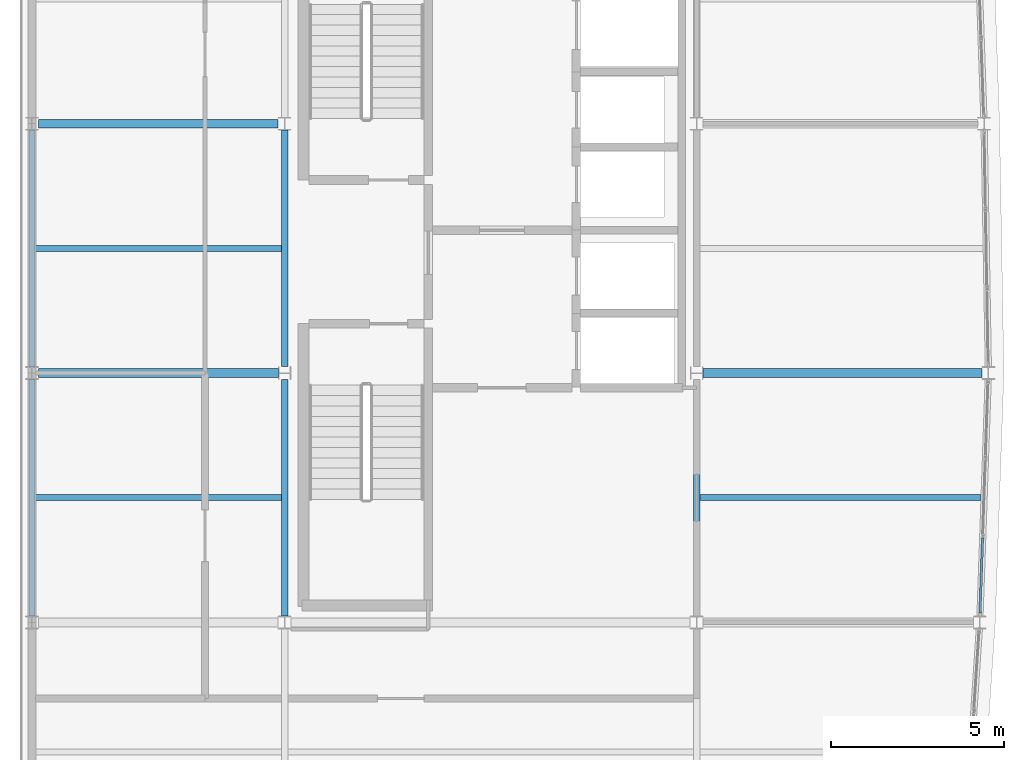
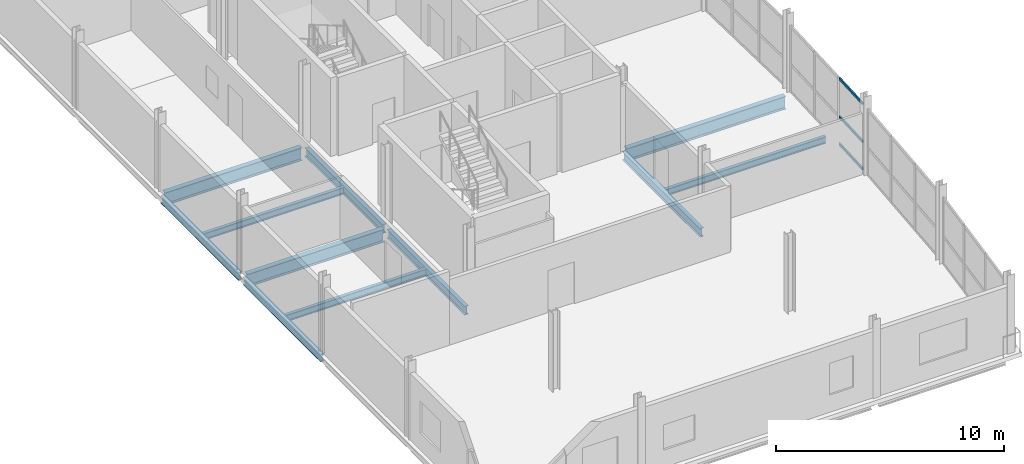
# One storey, part 4 of 20: 11 beams, 3 members, 1 element without a shape of its own.
"""IFC4 building model written with IfcOpenShell, lengths in metres."""

from ifc_helpers import new_model, si_unit, direction, frame, origin, origin_2d, place, context, subcontext, project, spatial, hollow_rectangle, i_section, extrude, material, layer, layer_set, material_profile, profile_set, type_object, element, aggregate, save


model = new_model("IFC4")

# Units and contexts
model_context = context("Model", 3, precision=1e-05, world=origin(), true_north=direction((0.0, 1.0)))
body_context = subcontext(model_context, "Body", "Model", "MODEL_VIEW")
ifc_project = project(units=[si_unit("LENGTHUNIT", "METRE"), si_unit("AREAUNIT", "SQUARE_METRE"), si_unit("VOLUMEUNIT", "CUBIC_METRE"), si_unit("PLANEANGLEUNIT", "RADIAN"), si_unit("MASSUNIT", "GRAM", prefix="KILO")], contexts=[model_context])

# Site, building, storey
site_placement = place(None, origin())
site = spatial("IfcSite", under=ifc_project, at=site_placement, CompositionType="ELEMENT")
building_placement = place(site_placement, origin())
building = spatial("IfcBuilding", under=site, at=building_placement, Name="Quillay Park Conservatory", CompositionType="ELEMENT")
storey_placement = place(building_placement, frame((0.0, 0.0, 26.699951171875)))
storey = spatial("IfcBuildingStorey", under=building, at=storey_placement, Name="L06", CompositionType="ELEMENT", Elevation=26.699951171875)

# Beams
ifc_material_1 = material(Name="Steel ASTM A992 Grade 50", Category="steel")
ifc_material_profile_1 = material_profile(ifc_material_1, i_section(OverallWidth=0.172119140625, OverallDepth=0.35791015625, WebThickness=0.0078125, FlangeThickness=0.01318359375, FilletRadius=0.010986328125, at=origin_2d()), Name="W360x57")
ifc_profile_set_1 = profile_set([ifc_material_profile_1], Name="Steel ASTM A992 Grade 50")
beam_type_1 = type_object("IfcBeamType", Name="COMPOSITE FLOOR JOIST W360 X57", PredefinedType="JOIST", material=ifc_profile_set_1)
beam_1_placement = place(storey_placement, frame((0.639892578125, 81.60009765625, -0.39892578125), z_axis=(1.0, 0.0, 0.0), x_axis=(0.0, 1.0, 0.0)))
element("IfcBeam", 1, at=beam_1_placement, inside=storey, type_object=beam_type_1, Name="L06 beam BM-J-0488", PredefinedType="JOIST", context=body_context, shape_type="SweptSolid", body=[
    extrude(i_section(OverallWidth=0.172119140625, OverallDepth=0.35791015625, WebThickness=0.0078125, FlangeThickness=0.01318359375, FilletRadius=0.010986328125, at=origin_2d()), origin(), (0.0, 0.0, 1.0), 7.114013671875),
])
beam_2_placement = place(storey_placement, frame((19.845947265625, 81.60009765625, -0.39892578125), z_axis=(1.0, 0.0, 0.0), x_axis=(0.0, 1.0, 0.0)))
element("IfcBeam", 2, at=beam_2_placement, inside=storey, type_object=beam_type_1, Name="L06 beam BM-J-0489", PredefinedType="JOIST", context=body_context, shape_type="SweptSolid", body=[
    extrude(i_section(OverallWidth=0.172119140625, OverallDepth=0.35791015625, WebThickness=0.0078125, FlangeThickness=0.01318359375, FilletRadius=0.010986328125, at=origin_2d()), origin(), (0.0, 0.0, 1.0), 8.114013671875),
])
beam_3_placement = place(storey_placement, frame((0.639892578125, 88.800048828125, -0.39892578125), z_axis=(1.0, 0.0, 0.0), x_axis=(0.0, 1.0, 0.0)))
element("IfcBeam", 3, at=beam_3_placement, inside=storey, type_object=beam_type_1, Name="L06 beam BM-J-0494", PredefinedType="JOIST", context=body_context, shape_type="SweptSolid", body=[
    extrude(i_section(OverallWidth=0.172119140625, OverallDepth=0.35791015625, WebThickness=0.0078125, FlangeThickness=0.01318359375, FilletRadius=0.010986328125, at=origin_2d()), origin(), (0.0, 0.0, 1.0), 7.114013671875),
])

# Curtain wall, members
ifc_material_2 = material(Name="Thermally Broken Anodised Aluminium 6063-T6", Category="aluminium")
ifc_layer = layer(ifc_material_2, 0.199951171875)
ifc_layer_set = layer_set([ifc_layer], Name="UNITISED CURTAIN WALL HERBARIUM (Thermally Broken Anodised Aluminium 6063-T6)")
curtain_wall_type = type_object("IfcCurtainWallType", Name="UNITISED CURTAIN WALL HERBARIUM", PredefinedType="USERDEFINED", material=ifc_layer_set)
curtain_wall_placement = place(storey_placement, origin())
curtain_wall = element("IfcCurtainWall", 4, at=curtain_wall_placement, inside=storey, type_object=curtain_wall_type, Name="L06 Unitised Curtain Wall 060", ObjectType="UNITISED CURTAIN WALL", PredefinedType="USERDEFINED")
ifc_material_3 = material(Name="Thermally Broken Anodised Aluminium 6063-T6", Category="aluminium")
ifc_material_profile_2 = material_profile(ifc_material_3, hollow_rectangle(XDim=0.070068359375, YDim=0.1298828125, WallThickness=0.003173828125, at=origin_2d()), Name="AL70x130x3.2")
ifc_profile_set_2 = profile_set([ifc_material_profile_2], Name="Thermally Broken Anodised Aluminium 6063-T6")
member_type = type_object("IfcMemberType", Name="CURTAIN WALL TRANSOM 70 X130", PredefinedType="USERDEFINED", material=ifc_profile_set_2)
member_1_placement = place(storey_placement, frame((28.009521484375, 80.431640625, 0.03515625), z_axis=(-0.034761587249, -0.999395633396, 0.0), x_axis=(0.999395633396, -0.034761587249, 0.0)))
member_1 = element("IfcMember", 5, at=member_1_placement, type_object=member_type, Name="CW-T2 transom 3.1", ObjectType="TRANSOM", PredefinedType="USERDEFINED", context=body_context, shape_type="SweptSolid", body=[
    extrude(hollow_rectangle(XDim=0.070068359375, YDim=0.1298828125, WallThickness=0.003173828125, at=origin_2d()), origin(), (0.0, 0.0, 1.0), 2.1630859375),
])
member_2_placement = place(storey_placement, frame((28.009521484375, 80.431640625, 1.4990234375), z_axis=(-0.034761587249, -0.999395633396, 0.0), x_axis=(0.999395633396, -0.034761587249, 0.0)))
member_2 = element("IfcMember", 6, at=member_2_placement, type_object=member_type, Name="CW-T2 transom 3.2", ObjectType="TRANSOM", PredefinedType="USERDEFINED", context=body_context, shape_type="SweptSolid", body=[
    extrude(hollow_rectangle(XDim=0.070068359375, YDim=0.1298828125, WallThickness=0.003173828125, at=origin_2d()), origin(), (0.0, 0.0, 1.0), 2.1630859375),
])
member_3_placement = place(storey_placement, frame((28.009521484375, 80.431640625, 3.533935546875), z_axis=(-0.034761587249, -0.999395633396, 0.0), x_axis=(0.999395633396, -0.034761587249, 0.0)))
member_3 = element("IfcMember", 7, at=member_3_placement, type_object=member_type, Name="CW-T2 transom 3.3", ObjectType="TRANSOM", PredefinedType="USERDEFINED", context=body_context, shape_type="SweptSolid", body=[
    extrude(hollow_rectangle(XDim=0.070068359375, YDim=0.1298828125, WallThickness=0.003173828125, at=origin_2d()), origin(), (0.0, 0.0, 1.0), 2.1630859375),
])
aggregate(curtain_wall, [member_1, member_2, member_3])

# Beams
ifc_material_4 = material(Name="Steel ASTM A992 Grade 50", Category="steel")
ifc_material_profile_3 = material_profile(ifc_material_4, i_section(OverallWidth=0.179931640625, OverallDepth=0.4130859375, WebThickness=0.009765625, FlangeThickness=0.01611328125, FilletRadius=0.011962890625, at=origin_2d()), Name="W410x74")
ifc_profile_set_3 = profile_set([ifc_material_profile_3], Name="Steel ASTM A992 Grade 50")
beam_type_2 = type_object("IfcBeamType", Name="PERIMETER SPANDREL BEAM W410 X74", PredefinedType="SPANDREL", material=ifc_profile_set_3)
beam_4_placement = place(storey_placement, frame((0.550048828125, 78.18603515625, -0.426513671875), z_axis=(0.0, 1.0, 0.0), x_axis=(-1.0, 0.0, 0.0)))
element("IfcBeam", 8, at=beam_4_placement, inside=storey, type_object=beam_type_2, Name="L06 beam BM-SPW-0484", PredefinedType="SPANDREL", context=body_context, shape_type="SweptSolid", body=[
    extrude(i_section(OverallWidth=0.179931640625, OverallDepth=0.4130859375, WebThickness=0.009765625, FlangeThickness=0.01611328125, FilletRadius=0.011962890625, at=origin_2d()), origin(), (0.0, 0.0, 1.0), 6.827880859375),
])
beam_5_placement = place(storey_placement, frame((0.550048828125, 85.385986328125, -0.426513671875), z_axis=(0.0, 1.0, 0.0), x_axis=(-1.0, 0.0, 0.0)))
element("IfcBeam", 9, at=beam_5_placement, inside=storey, type_object=beam_type_2, Name="L06 beam BM-SPW-0490", PredefinedType="SPANDREL", context=body_context, shape_type="SweptSolid", body=[
    extrude(i_section(OverallWidth=0.179931640625, OverallDepth=0.4130859375, WebThickness=0.009765625, FlangeThickness=0.01611328125, FilletRadius=0.011962890625, at=origin_2d()), origin(), (0.0, 0.0, 1.0), 6.828125),
])
ifc_material_5 = material(Name="Steel ASTM A992 Grade 50", Category="steel")
ifc_material_profile_4 = material_profile(ifc_material_5, i_section(OverallWidth=0.19189453125, OverallDepth=0.462890625, WebThickness=0.010498046875, FlangeThickness=0.017578125, FilletRadius=0.012939453125, at=origin_2d()), Name="W460x89")
ifc_profile_set_4 = profile_set([ifc_material_profile_4], Name="Steel ASTM A992 Grade 50")
beam_type_3 = type_object("IfcBeamType", Name="PRIMARY FLOOR GIRDER W460 X89", PredefinedType="BEAM", material=ifc_profile_set_4)
for number, where, z_axis, x_axis, name in (
    (10, (7.85009765625, 78.18603515625, -0.451416015625), (0.0, 1.0, 0.0), (-1.0, 0.0, 0.0), "L06 beam BM-GNS-0486"),
    (11, (19.75, 78.18603515625, -0.451416015625), (0.0, 1.0, 0.0), (-1.0, 0.0, 0.0), "L06 beam BM-GNS-0487"),
):
    element("IfcBeam", number, at=place(storey_placement, frame(where, z_axis=z_axis, x_axis=x_axis)), inside=storey, type_object=beam_type_3, Name=name, PredefinedType="BEAM", context=body_context, shape_type="SweptSolid", body=[
        extrude(i_section(OverallWidth=0.19189453125, OverallDepth=0.462890625, WebThickness=0.010498046875, FlangeThickness=0.017578125, FilletRadius=0.012939453125, at=origin_2d()), origin(), (0.0, 0.0, 1.0), 6.826904296875),
    ])
beam_6_placement = place(storey_placement, frame((7.85009765625, 85.386962890625, -0.451416015625), z_axis=(0.0, 1.0, 0.0), x_axis=(-1.0, 0.0, 0.0)))
element("IfcBeam", 12, at=beam_6_placement, inside=storey, type_object=beam_type_3, Name="L06 beam BM-GNS-0492", PredefinedType="BEAM", context=body_context, shape_type="SweptSolid", body=[
    extrude(i_section(OverallWidth=0.19189453125, OverallDepth=0.462890625, WebThickness=0.010498046875, FlangeThickness=0.017578125, FilletRadius=0.012939453125, at=origin_2d()), origin(), (0.0, 0.0, 1.0), 6.8271484375),
])
ifc_material_6 = material(Name="Steel ASTM A992 Grade 50", Category="steel")
ifc_material_profile_5 = material_profile(ifc_material_6, i_section(OverallWidth=0.256103515625, OverallDepth=0.693115234375, WebThickness=0.014404296875, FlangeThickness=0.023681640625, FilletRadius=0.01611328125, at=origin_2d()), Name="W690x170")
ifc_profile_set_5 = profile_set([ifc_material_profile_5], Name="Steel ASTM A992 Grade 50")
beam_type_4 = type_object("IfcBeamType", Name="PRIMARY FLOOR GIRDER W690 X170", PredefinedType="BEAM", material=ifc_profile_set_5)
beam_7_placement = place(storey_placement, frame((0.737060546875, 85.199951171875, -0.56640625), z_axis=(1.0, 0.0, 0.0), x_axis=(0.0, 1.0, 0.0)))
element("IfcBeam", 13, at=beam_7_placement, inside=storey, type_object=beam_type_4, Name="L06 beam BM-HB-0457", PredefinedType="BEAM", context=body_context, shape_type="SweptSolid", body=[
    extrude(i_section(OverallWidth=0.256103515625, OverallDepth=0.693115234375, WebThickness=0.014404296875, FlangeThickness=0.023681640625, FilletRadius=0.01611328125, at=origin_2d()), origin(), (0.0, 0.0, 1.0), 6.927001953125),
])
beam_8_placement = place(storey_placement, frame((19.93603515625, 85.199951171875, -0.56640625), z_axis=(1.0, 0.0, 0.0), x_axis=(0.0, 1.0, 0.0)))
element("IfcBeam", 14, at=beam_8_placement, inside=storey, type_object=beam_type_4, Name="L06 beam BM-HB-0458", PredefinedType="BEAM", context=body_context, shape_type="SweptSolid", body=[
    extrude(i_section(OverallWidth=0.256103515625, OverallDepth=0.693115234375, WebThickness=0.014404296875, FlangeThickness=0.023681640625, FilletRadius=0.01611328125, at=origin_2d()), origin(), (0.0, 0.0, 1.0), 8.052001953125),
])
beam_9_placement = place(storey_placement, frame((0.737060546875, 92.39990234375, -0.56640625), z_axis=(1.0, 0.0, 0.0), x_axis=(0.0, 1.0, 0.0)))
element("IfcBeam", 15, at=beam_9_placement, inside=storey, type_object=beam_type_4, Name="L06 beam BM-HB-0459", PredefinedType="BEAM", context=body_context, shape_type="SweptSolid", body=[
    extrude(i_section(OverallWidth=0.256103515625, OverallDepth=0.693115234375, WebThickness=0.014404296875, FlangeThickness=0.023681640625, FilletRadius=0.01611328125, at=origin_2d()), origin(), (0.0, 0.0, 1.0), 6.926025390625),
])

save(model, "model.ifc")
